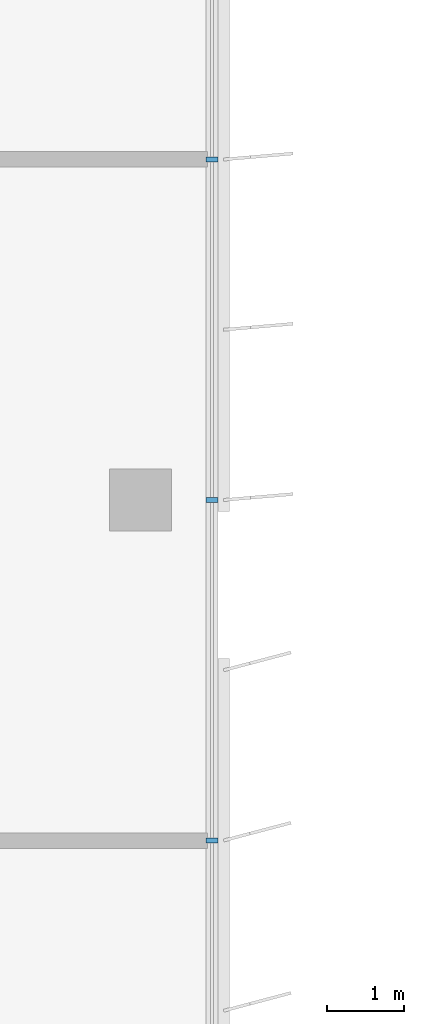
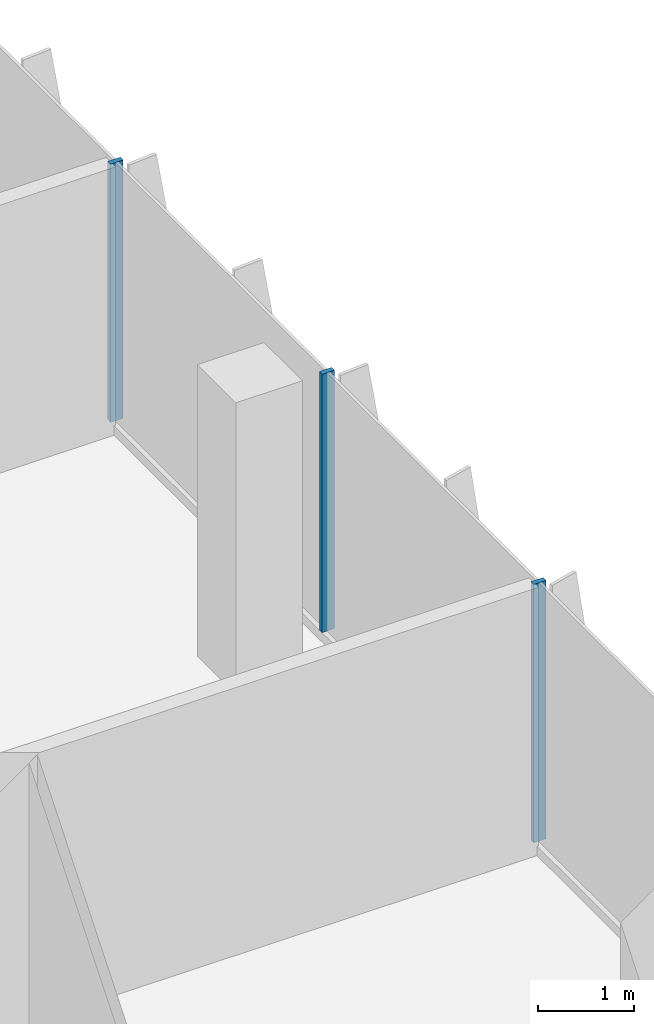
# One storey, part 4 of 15: 3 members, 1 element without a shape of its own.
"""IFC4 building model written with IfcOpenShell, lengths in metres."""

from ifc_helpers import new_model, si_unit, direction, frame, origin, origin_2d, place, context, subcontext, project, spatial, rectangle, extrude, source, transform, mapped, material, material_profile, profile_set, type_object, element, aggregate, save


model = new_model("IFC4")

# Units and contexts
model_context = context("Model", 3, precision=1e-05, world=origin(), true_north=direction((0.0, 1.0)))
body_context = subcontext(model_context, "Body", "Model", "MODEL_VIEW")
ifc_project = project(units=[si_unit("LENGTHUNIT", "METRE"), si_unit("AREAUNIT", "SQUARE_METRE"), si_unit("VOLUMEUNIT", "CUBIC_METRE"), si_unit("PLANEANGLEUNIT", "RADIAN"), si_unit("MASSUNIT", "GRAM", prefix="KILO")], contexts=[model_context])

# Site, building, storey
site_placement = place(None, origin())
site = spatial("IfcSite", under=ifc_project, at=site_placement, CompositionType="ELEMENT")
building_placement = place(site_placement, origin())
building = spatial("IfcBuilding", under=site, at=building_placement, Name="Kemantara Hotel Tower", CompositionType="ELEMENT")
storey_placement = place(building_placement, frame((0.0, 0.0, 264.800048828125)))
storey = spatial("IfcBuildingStorey", under=building, at=storey_placement, Name="L66", CompositionType="ELEMENT", Elevation=264.800048828125)

# Curtain wall, members
ifc_material_1 = material(Name="Low-E tinted double insulated glass 36 mm", Category="glass")
curtain_wall_type = type_object("IfcCurtainWallType", Name="TOWER CURTAIN WALL, FRONT FACES", PredefinedType="USERDEFINED", material=ifc_material_1)
curtain_wall_placement = place(storey_placement, origin())
curtain_wall = element("IfcCurtainWall", 1, at=curtain_wall_placement, inside=storey, type_object=curtain_wall_type, Name="CW4 L66 T4-R15-1", ObjectType="TOWER CURTAIN WALL, FRONT FACES", PredefinedType="USERDEFINED")
ifc_material_2 = material(Name="Aluminium 6063-T6 bronze anodised", Category="aluminium")
ifc_material_profile = material_profile(ifc_material_2, rectangle(XDim=0.14990234375, YDim=0.06005859375, at=origin_2d()), Name="TOWER CURTAIN WALL, FRONT FACES MULLION")
ifc_profile_set = profile_set([ifc_material_profile], Name="Aluminium 6063-T6 bronze anodised")
member_type = type_object("IfcMemberType", Name="TOWER CURTAIN WALL, FRONT FACES MULLION", PredefinedType="MULLION", material=ifc_profile_set)
shared_shape = source(origin(), body_context, "Body", "SweptSolid", [
    extrude(rectangle(XDim=0.14990234375, YDim=0.06005859375, at=origin_2d()), origin(), (0.0, 0.0, 1.0), 3.280029296875),
])
member_1_placement = place(storey_placement, frame((21.925048828125, 31.800048828125, 0.119873046875), z_axis=(0.0, 0.0, 1.0), x_axis=(-1.0, 0.0, 0.0)))
member_1 = element("IfcMember", 2, at=member_1_placement, type_object=member_type, Name="CW4 mullion T4-R15-1.3", PredefinedType="MULLION", context=body_context, shape_type="MappedRepresentation", body=[
    mapped(shared_shape, transform((0.0, 0.0, 0.0))),
])
member_2_placement = place(storey_placement, frame((21.925048828125, 36.199951171875, 0.119873046875), z_axis=(0.0, 0.0, 1.0), x_axis=(-1.0, 0.0, 0.0)))
member_2 = element("IfcMember", 3, at=member_2_placement, type_object=member_type, Name="CW4 mullion T4-R15-1.4", PredefinedType="MULLION", context=body_context, shape_type="MappedRepresentation", body=[
    mapped(shared_shape, transform((0.0, 0.0, 0.0))),
])
member_3_placement = place(storey_placement, frame((21.925048828125, 40.60009765625, 0.119873046875), z_axis=(0.0, 0.0, 1.0), x_axis=(-1.0, 0.0, 0.0)))
member_3 = element("IfcMember", 4, at=member_3_placement, type_object=member_type, Name="CW4 mullion T4-R15-1.5", PredefinedType="MULLION", context=body_context, shape_type="MappedRepresentation", body=[
    mapped(shared_shape, transform((0.0, 0.0, 0.0))),
])
aggregate(curtain_wall, [member_1, member_2, member_3])

save(model, "model.ifc")
